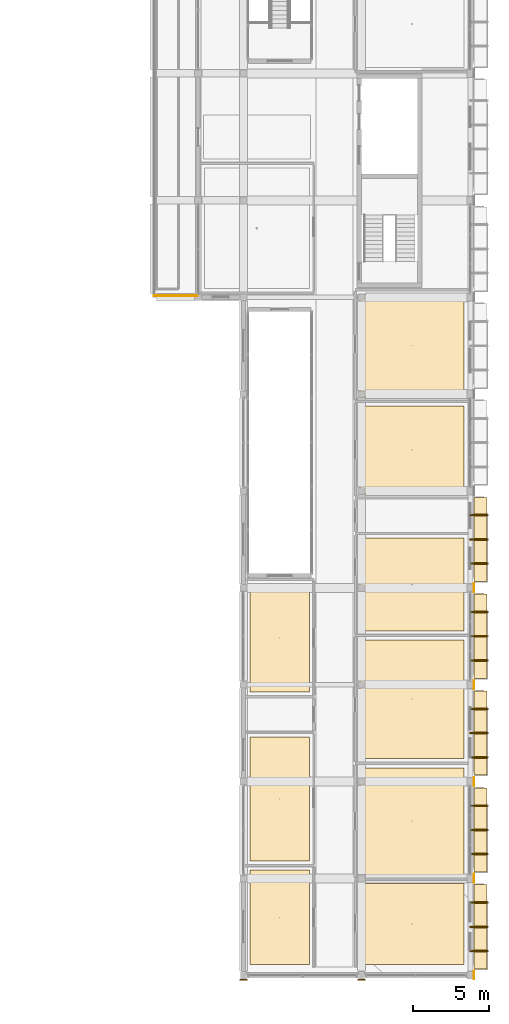
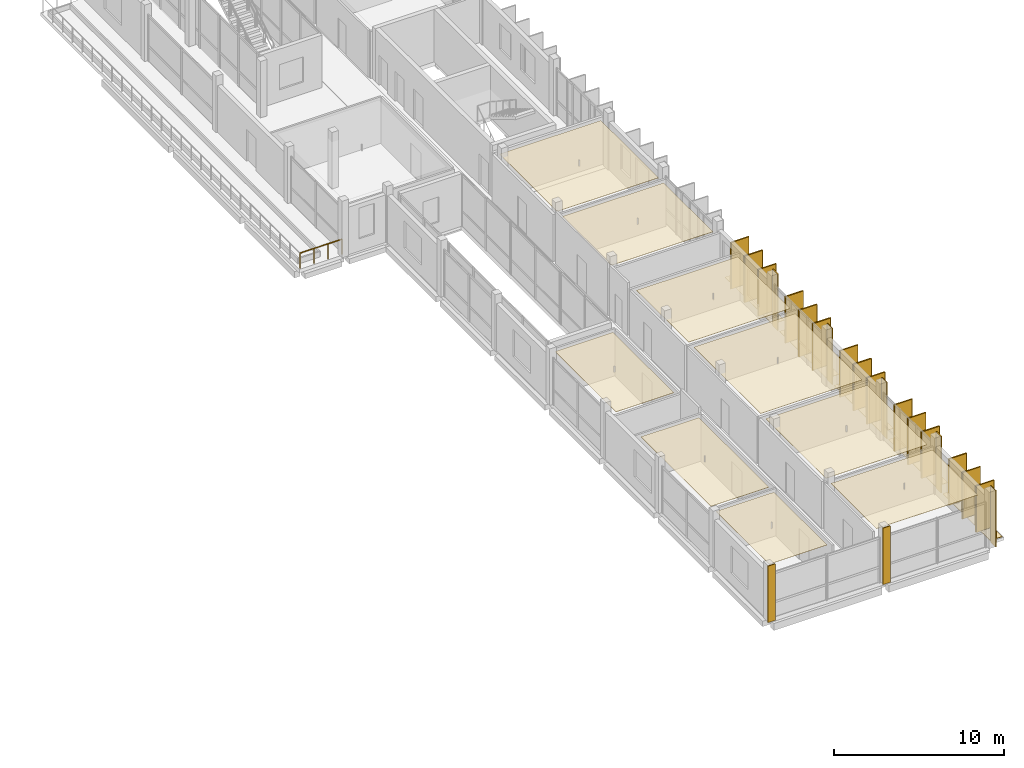
# One storey, part 83 of 86: 36 coverings, 15 shading devices, 1 railing.
"""IFC4 building model written with IfcOpenShell, lengths in metres."""

from ifc_helpers import new_model, si_unit, derived_unit, direction, frame, origin, origin_2d, place, context, subcontext, project, spatial, polyline, rectangle, circle, outline, extrude, material, layer, layer_set, type_object, element, save


model = new_model("IFC4")

# Units and contexts
model_context = context("Model", 3, precision=1e-05, world=origin(), true_north=direction((0.0, 1.0)))
body_context = subcontext(model_context, "Body", "Model", "MODEL_VIEW")
ifc_project = project(units=[si_unit("LENGTHUNIT", "METRE"), si_unit("AREAUNIT", "SQUARE_METRE"), si_unit("VOLUMEUNIT", "CUBIC_METRE"), si_unit("PLANEANGLEUNIT", "RADIAN"), si_unit("MASSUNIT", "GRAM", prefix="KILO"), derived_unit("THERMALTRANSMITTANCEUNIT", [(si_unit("POWERUNIT", "WATT"), 1), (si_unit("LENGTHUNIT", "METRE"), -2), (si_unit("THERMODYNAMICTEMPERATUREUNIT", "KELVIN"), -1)])], contexts=[model_context])

# Site, building, storey
site_placement = place(None, origin())
site = spatial("IfcSite", under=ifc_project, at=site_placement, CompositionType="ELEMENT")
building_placement = place(site_placement, origin())
building = spatial("IfcBuilding", under=site, at=building_placement, Name="Braskholm Square Health Centre", CompositionType="ELEMENT")
storey_placement = place(building_placement, frame((0.0, 0.0, 13.5)))
storey = spatial("IfcBuildingStorey", under=building, at=storey_placement, Name="L04", CompositionType="ELEMENT", Elevation=13.5)

# Coverings
ifc_material_1 = material(Name="Fire-rated gypsum board barrier")
ifc_layer_1 = layer(ifc_material_1, 0.02490234375)
ifc_layer_set_1 = layer_set([ifc_layer_1], Name="Fire-rated gypsum board barrier")
covering_type_1 = type_object("IfcCoveringType", Name="AcousticClinicalCeilingTile", PredefinedType="CEILING", material=ifc_layer_set_1)
covering_1_placement = place(storey_placement, frame((0.0, 0.0, 3.3349609375)))
element("IfcCovering", 1, at=covering_1_placement, inside=storey, type_object=covering_type_1, Name="Acoustic ceiling L04-243", PredefinedType="CEILING", context=body_context, shape_type="SweptSolid", body=[
    extrude(outline(polyline([(156.5, 4.89990234375), (163.3798828125, 4.89990234375), (163.3798828125, 10.25), (156.5, 10.25), (156.5, 4.89990234375)])), origin(), (0.0, 0.0, 1.0), 0.025146484375),
])
covering_2_placement = place(storey_placement, frame((0.0, 0.0, 3.3349609375)))
element("IfcCovering", 2, at=covering_2_placement, inside=storey, type_object=covering_type_1, Name="Acoustic ceiling L04-244", PredefinedType="CEILING", context=body_context, shape_type="SweptSolid", body=[
    extrude(outline(polyline([(156.5, 10.85009765625), (163.3798828125, 10.85009765625), (163.3798828125, 17.909912109375), (156.5, 17.909912109375), (156.5, 10.85009765625)])), origin(), (0.0, 0.0, 1.0), 0.025146484375),
])
covering_3_placement = place(storey_placement, frame((0.0, 0.0, 3.3349609375)))
element("IfcCovering", 3, at=covering_3_placement, inside=storey, type_object=covering_type_1, Name="Acoustic ceiling L04-245", PredefinedType="CEILING", context=body_context, shape_type="SweptSolid", body=[
    extrude(outline(polyline([(156.5, 18.510009765625), (163.3798828125, 18.510009765625), (163.3798828125, 26.360107421875), (156.5, 26.360107421875), (156.5, 18.510009765625)])), origin(), (0.0, 0.0, 1.0), 0.025146484375),
])
covering_4_placement = place(storey_placement, frame((0.0, 0.0, 3.3349609375)))
element("IfcCovering", 4, at=covering_4_placement, inside=storey, type_object=covering_type_1, Name="Acoustic ceiling L04-246", PredefinedType="CEILING", context=body_context, shape_type="SweptSolid", body=[
    extrude(outline(polyline([(156.5, 26.9599609375), (163.3798828125, 26.9599609375), (163.3798828125, 33.090087890625), (156.5, 33.090087890625), (156.5, 26.9599609375)])), origin(), (0.0, 0.0, 1.0), 0.025146484375),
])
covering_5_placement = place(storey_placement, frame((0.0, 0.0, 3.3349609375)))
element("IfcCovering", 5, at=covering_5_placement, inside=storey, type_object=covering_type_1, Name="Acoustic ceiling L04-248", PredefinedType="CEILING", context=body_context, shape_type="SweptSolid", body=[
    extrude(outline(polyline([(156.5, 36.0400390625), (163.3798828125, 36.0400390625), (163.3798828125, 41.820068359375), (156.5, 41.820068359375), (156.5, 36.0400390625)])), origin(), (0.0, 0.0, 1.0), 0.025146484375),
])
covering_6_placement = place(storey_placement, frame((0.0, 0.0, 3.3349609375)))
element("IfcCovering", 6, at=covering_6_placement, inside=storey, type_object=covering_type_1, Name="Acoustic ceiling L04-249", PredefinedType="CEILING", context=body_context, shape_type="SweptSolid", body=[
    extrude(outline(polyline([(156.5, 42.419921875), (163.3798828125, 42.419921875), (163.3798828125, 49.199951171875), (156.5, 49.199951171875), (156.5, 42.419921875)])), origin(), (0.0, 0.0, 1.0), 0.025146484375),
])
covering_7_placement = place(storey_placement, frame((0.0, 0.0, 3.3349609375)))
element("IfcCovering", 7, at=covering_7_placement, inside=storey, type_object=covering_type_1, Name="Acoustic ceiling L04-259", PredefinedType="CEILING", context=body_context, shape_type="SweptSolid", body=[
    extrude(outline(polyline([(149.219970703125, 4.89990234375), (153.14990234375, 4.89990234375), (153.14990234375, 11.139892578125), (149.219970703125, 11.139892578125), (149.219970703125, 4.89990234375)])), origin(), (0.0, 0.0, 1.0), 0.025146484375),
])
covering_8_placement = place(storey_placement, frame((0.0, 0.0, 3.3349609375)))
element("IfcCovering", 8, at=covering_8_placement, inside=storey, type_object=covering_type_1, Name="Acoustic ceiling L04-260", PredefinedType="CEILING", context=body_context, shape_type="SweptSolid", body=[
    extrude(outline(polyline([(149.219970703125, 11.739990234375), (153.14990234375, 11.739990234375), (153.14990234375, 19.9599609375), (149.219970703125, 19.9599609375), (149.219970703125, 11.739990234375)])), origin(), (0.0, 0.0, 1.0), 0.025146484375),
])
covering_9_placement = place(storey_placement, frame((0.0, 0.0, 3.3349609375)))
element("IfcCovering", 9, at=covering_9_placement, inside=storey, type_object=covering_type_1, Name="Acoustic ceiling L04-262", PredefinedType="CEILING", context=body_context, shape_type="SweptSolid", body=[
    extrude(outline(polyline([(149.219970703125, 22.909912109375), (153.14990234375, 22.909912109375), (153.14990234375, 30.050048828125), (149.219970703125, 30.050048828125), (149.219970703125, 22.909912109375)])), origin(), (0.0, 0.0, 1.0), 0.025146484375),
])

# Railing
ifc_material_2 = material(Name="Dark patinated chevron architectural bronze", Category="aluminium")
railing_type = type_object("IfcRailingType", Name="BronzeChevronGuardrail1100", PredefinedType="GUARDRAIL", material=ifc_material_2)
railing_placement = place(storey_placement, frame((145.75, 49.10009765625, 0.0)))
element("IfcRailing", 10, at=railing_placement, inside=storey, type_object=railing_type, Name="Bronze chevron guardrail 0044 L04", PredefinedType="GUARDRAIL", context=body_context, shape_type="SweptSolid", body=[
    extrude(circle(Radius=0.02392578125, at=origin_2d()), frame((0.0, 0.0, 1.076171875), z_axis=(-1.0, 0.0, 0.0), x_axis=(0.0, -1.0, 0.0)), (0.0, 0.0, 1.0), 2.85009765625),
    extrude(circle(Radius=0.02099609375, at=origin_2d()), origin(), (0.0, 0.0, 1.0), 1.052001953125),
    extrude(circle(Radius=0.02099609375, at=origin_2d()), frame((-0.949951171875, 0.0, 0.0)), (0.0, 0.0, 1.0), 1.052001953125),
    extrude(circle(Radius=0.02099609375, at=origin_2d()), frame((-1.900146484375, 0.0, 0.0)), (0.0, 0.0, 1.0), 1.052001953125),
    extrude(circle(Radius=0.02099609375, at=origin_2d()), frame((-2.85009765625, 0.0, 0.0)), (0.0, 0.0, 1.0), 1.052001953125),
])

# Shading devices
ifc_material_3 = material(Name="Thermally modified western red cedar with bronze trim", Category="wood")
shading_device_type = type_object("IfcShadingDeviceType", Name="CedarBronzeShadingFin1250", PredefinedType="USERDEFINED", material=ifc_material_3)
for number, where, z_axis, x_axis, name in (
    (11, (164.364990234375, 5.800048828125, 0.0), (0.0, 0.0, 1.0), (1.0, 0.0, 0.0), "Warm cedar-bronze vertical shading slat 0307"),
    (12, (164.364990234375, 7.39990234375, 0.0), (0.0, 0.0, 1.0), (1.0, 0.0, 0.0), "Warm cedar-bronze vertical shading slat 0308"),
    (13, (164.364990234375, 9.0, 0.0), (0.0, 0.0, 1.0), (1.0, 0.0, 0.0), "Warm cedar-bronze vertical shading slat 0309"),
    (14, (164.364990234375, 12.199951171875, 0.0), (0.0, 0.0, 1.0), (1.0, 0.0, 0.0), "Warm cedar-bronze vertical shading slat 0310"),
    (15, (164.364990234375, 13.800048828125, 0.0), (0.0, 0.0, 1.0), (1.0, 0.0, 0.0), "Warm cedar-bronze vertical shading slat 0311"),
    (16, (164.364990234375, 15.39990234375, 0.0), (0.0, 0.0, 1.0), (1.0, 0.0, 0.0), "Warm cedar-bronze vertical shading slat 0312"),
    (17, (164.364990234375, 18.60009765625, 0.0), (0.0, 0.0, 1.0), (1.0, 0.0, 0.0), "Warm cedar-bronze vertical shading slat 0313"),
    (18, (164.364990234375, 20.199951171875, 0.0), (0.0, 0.0, 1.0), (1.0, 0.0, 0.0), "Warm cedar-bronze vertical shading slat 0314"),
    (19, (164.364990234375, 21.800048828125, 0.0), (0.0, 0.0, 1.0), (1.0, 0.0, 0.0), "Warm cedar-bronze vertical shading slat 0315"),
    (20, (164.364990234375, 25.0, 0.0), (0.0, 0.0, 1.0), (1.0, 0.0, 0.0), "Warm cedar-bronze vertical shading slat 0316"),
    (21, (164.364990234375, 26.60009765625, 0.0), (0.0, 0.0, 1.0), (1.0, 0.0, 0.0), "Warm cedar-bronze vertical shading slat 0317"),
    (22, (164.364990234375, 28.199951171875, 0.0), (0.0, 0.0, 1.0), (1.0, 0.0, 0.0), "Warm cedar-bronze vertical shading slat 0318"),
    (23, (164.364990234375, 31.39990234375, 0.0), (0.0, 0.0, 1.0), (1.0, 0.0, 0.0), "Warm cedar-bronze vertical shading slat 0319"),
    (24, (164.364990234375, 33.0, 0.0), (0.0, 0.0, 1.0), (1.0, 0.0, 0.0), "Warm cedar-bronze vertical shading slat 0320"),
    (25, (164.364990234375, 34.60009765625, 0.0), (0.0, 0.0, 1.0), (1.0, 0.0, 0.0), "Warm cedar-bronze vertical shading slat 0321"),
):
    element("IfcShadingDevice", number, at=place(storey_placement, frame(where, z_axis=z_axis, x_axis=x_axis)), inside=storey, type_object=shading_device_type, Name=name, ObjectType="FIN", PredefinedType="USERDEFINED", context=body_context, shape_type="SweptSolid", body=[
        extrude(rectangle(XDim=1.25, YDim=0.0849609375, at=origin_2d()), origin(), (0.0, 0.0, 1.0), 3.340087890625),
    ])

# Coverings
ifc_layer_2 = layer(ifc_material_3, 0.0849609375)
ifc_layer_set_2 = layer_set([ifc_layer_2], Name="Thermally modified western red cedar with bronze trim")
covering_type_2 = type_object("IfcCoveringType", Name="CedarBronzeSlatCladding", PredefinedType="CLADDING", material=ifc_layer_set_2)
for number, where, z_axis, x_axis, name in (
    (26, (164.3701171875, 5.800048828125, 0.0), (0.0, 0.0, 1.0), (1.0, 0.0, 0.0), "Cedar-bronze shading slat trim 0814"),
    (27, (164.3701171875, 7.39990234375, 0.0), (0.0, 0.0, 1.0), (1.0, 0.0, 0.0), "Cedar-bronze shading slat trim 0815"),
    (28, (164.3701171875, 9.0, 0.0), (0.0, 0.0, 1.0), (1.0, 0.0, 0.0), "Cedar-bronze shading slat trim 0816"),
    (29, (164.3701171875, 12.199951171875, 0.0), (0.0, 0.0, 1.0), (1.0, 0.0, 0.0), "Cedar-bronze shading slat trim 0818"),
    (30, (164.3701171875, 13.800048828125, 0.0), (0.0, 0.0, 1.0), (1.0, 0.0, 0.0), "Cedar-bronze shading slat trim 0819"),
    (31, (164.3701171875, 15.39990234375, 0.0), (0.0, 0.0, 1.0), (1.0, 0.0, 0.0), "Cedar-bronze shading slat trim 0820"),
    (32, (164.3701171875, 18.60009765625, 0.0), (0.0, 0.0, 1.0), (1.0, 0.0, 0.0), "Cedar-bronze shading slat trim 0822"),
    (33, (164.3701171875, 20.199951171875, 0.0), (0.0, 0.0, 1.0), (1.0, 0.0, 0.0), "Cedar-bronze shading slat trim 0823"),
    (34, (164.3701171875, 21.800048828125, 0.0), (0.0, 0.0, 1.0), (1.0, 0.0, 0.0), "Cedar-bronze shading slat trim 0824"),
    (35, (164.3701171875, 25.0, 0.0), (0.0, 0.0, 1.0), (1.0, 0.0, 0.0), "Cedar-bronze shading slat trim 0826"),
    (36, (164.3701171875, 26.60009765625, 0.0), (0.0, 0.0, 1.0), (1.0, 0.0, 0.0), "Cedar-bronze shading slat trim 0827"),
    (37, (164.3701171875, 28.199951171875, 0.0), (0.0, 0.0, 1.0), (1.0, 0.0, 0.0), "Cedar-bronze shading slat trim 0828"),
    (38, (164.3701171875, 31.39990234375, 0.0), (0.0, 0.0, 1.0), (1.0, 0.0, 0.0), "Cedar-bronze shading slat trim 0830"),
    (39, (164.3701171875, 33.0, 0.0), (0.0, 0.0, 1.0), (1.0, 0.0, 0.0), "Cedar-bronze shading slat trim 0831"),
    (40, (164.3701171875, 34.60009765625, 0.0), (0.0, 0.0, 1.0), (1.0, 0.0, 0.0), "Cedar-bronze shading slat trim 0832"),
):
    element("IfcCovering", number, at=place(storey_placement, frame(where, z_axis=z_axis, x_axis=x_axis)), inside=storey, type_object=covering_type_2, Name=name, PredefinedType="CLADDING", context=body_context, shape_type="SweptSolid", body=[
        extrude(rectangle(XDim=1.179931640625, YDim=0.094970703125, at=origin_2d()), origin(), (0.0, 0.0, 1.0), 3.340087890625),
    ])
ifc_material_4 = material(Name="Intensive botanical sedum and native prairie garden bed")
ifc_layer_3 = layer(ifc_material_4, 0.02490234375)
ifc_layer_set_3 = layer_set([ifc_layer_3], Name="Intensive botanical sedum and native prairie garden bed")
covering_type_3 = type_object("IfcCoveringType", Name="PlantedTerraceGardenBed", PredefinedType="ROOFING", material=ifc_layer_set_3)
covering_10_placement = place(storey_placement, origin())
element("IfcCovering", 41, at=covering_10_placement, inside=storey, type_object=covering_type_3, Name="East floor planter ledge sedum strip 0817", PredefinedType="ROOFING", context=body_context, shape_type="SweptSolid", body=[
    extrude(outline(polyline([(164.050048828125, 4.6201171875), (164.8798828125, 4.6201171875), (164.8798828125, 10.179931640625), (164.050048828125, 10.179931640625), (164.050048828125, 4.6201171875)])), origin(), (0.0, 0.0, 1.0), 0.02490234375),
])
covering_11_placement = place(storey_placement, origin())
element("IfcCovering", 42, at=covering_11_placement, inside=storey, type_object=covering_type_3, Name="East floor planter ledge sedum strip 0821", PredefinedType="ROOFING", context=body_context, shape_type="SweptSolid", body=[
    extrude(outline(polyline([(164.050048828125, 11.02001953125), (164.8798828125, 11.02001953125), (164.8798828125, 16.580078125), (164.050048828125, 16.580078125), (164.050048828125, 11.02001953125)])), origin(), (0.0, 0.0, 1.0), 0.02490234375),
])
covering_12_placement = place(storey_placement, origin())
element("IfcCovering", 43, at=covering_12_placement, inside=storey, type_object=covering_type_3, Name="East floor planter ledge sedum strip 0825", PredefinedType="ROOFING", context=body_context, shape_type="SweptSolid", body=[
    extrude(outline(polyline([(164.050048828125, 17.419921875), (164.8798828125, 17.419921875), (164.8798828125, 22.97998046875), (164.050048828125, 22.97998046875), (164.050048828125, 17.419921875)])), origin(), (0.0, 0.0, 1.0), 0.02490234375),
])
covering_13_placement = place(storey_placement, origin())
element("IfcCovering", 44, at=covering_13_placement, inside=storey, type_object=covering_type_3, Name="East floor planter ledge sedum strip 0829", PredefinedType="ROOFING", context=body_context, shape_type="SweptSolid", body=[
    extrude(outline(polyline([(164.050048828125, 23.820068359375), (164.8798828125, 23.820068359375), (164.8798828125, 29.3798828125), (164.050048828125, 29.3798828125), (164.050048828125, 23.820068359375)])), origin(), (0.0, 0.0, 1.0), 0.02490234375),
])
covering_14_placement = place(storey_placement, origin())
element("IfcCovering", 45, at=covering_14_placement, inside=storey, type_object=covering_type_3, Name="East floor planter ledge sedum strip 0833", PredefinedType="ROOFING", context=body_context, shape_type="SweptSolid", body=[
    extrude(outline(polyline([(164.050048828125, 30.219970703125), (164.8798828125, 30.219970703125), (164.8798828125, 35.780029296875), (164.050048828125, 35.780029296875), (164.050048828125, 30.219970703125)])), origin(), (0.0, 0.0, 1.0), 0.02490234375),
])
ifc_material_5 = material(Name="Precast concrete C40/50 architectural white", Category="concrete")
ifc_layer_4 = layer(ifc_material_5, 0.054931640625)
ifc_layer_set_4 = layer_set([ifc_layer_4], Name="Precast concrete C40/50 architectural white")
covering_type_4 = type_object("IfcCoveringType", Name="PrecastWhiteColumnCasing", PredefinedType="CLADDING", material=ifc_layer_set_4)
for number, where, z_axis, x_axis, name in (
    (46, (148.800048828125, 3.9150390625, 0.0), (0.0, 0.0, 1.0), (1.0, 0.0, 0.0), "Giant-order white precast column casing 0227"),
    (47, (156.60009765625, 3.9150390625, 0.0), (0.0, 0.0, 1.0), (1.0, 0.0, 0.0), "Giant-order white precast column casing 0237"),
):
    element("IfcCovering", number, at=place(storey_placement, frame(where, z_axis=z_axis, x_axis=x_axis)), inside=storey, type_object=covering_type_4, Name=name, PredefinedType="CLADDING", context=body_context, shape_type="SweptSolid", body=[
        extrude(rectangle(XDim=0.5, YDim=0.06005859375, at=origin_2d()), origin(), (0.0, 0.0, 1.0), 4.050048828125),
    ])
for number, where, z_axis, x_axis, name in (
    (48, (164.034912109375, 4.199951171875, 0.0), (0.0, 0.0, 1.0), (1.0, 0.0, 0.0), "Giant-order white precast column casing 0247"),
    (49, (164.034912109375, 10.60009765625, 0.0), (0.0, 0.0, 1.0), (1.0, 0.0, 0.0), "Giant-order white precast column casing 0255"),
    (50, (164.034912109375, 17.0, 0.0), (0.0, 0.0, 1.0), (1.0, 0.0, 0.0), "Giant-order white precast column casing 0263"),
    (51, (164.034912109375, 23.39990234375, 0.0), (0.0, 0.0, 1.0), (1.0, 0.0, 0.0), "Giant-order white precast column casing 0271"),
    (52, (164.034912109375, 29.800048828125, 0.0), (0.0, 0.0, 1.0), (1.0, 0.0, 0.0), "Giant-order white precast column casing 0279"),
):
    element("IfcCovering", number, at=place(storey_placement, frame(where, z_axis=z_axis, x_axis=x_axis)), inside=storey, type_object=covering_type_4, Name=name, PredefinedType="CLADDING", context=body_context, shape_type="SweptSolid", body=[
        extrude(rectangle(XDim=0.06005859375, YDim=0.60009765625, at=origin_2d()), origin(), (0.0, 0.0, 1.0), 4.050048828125),
    ])

save(model, "model.ifc")
